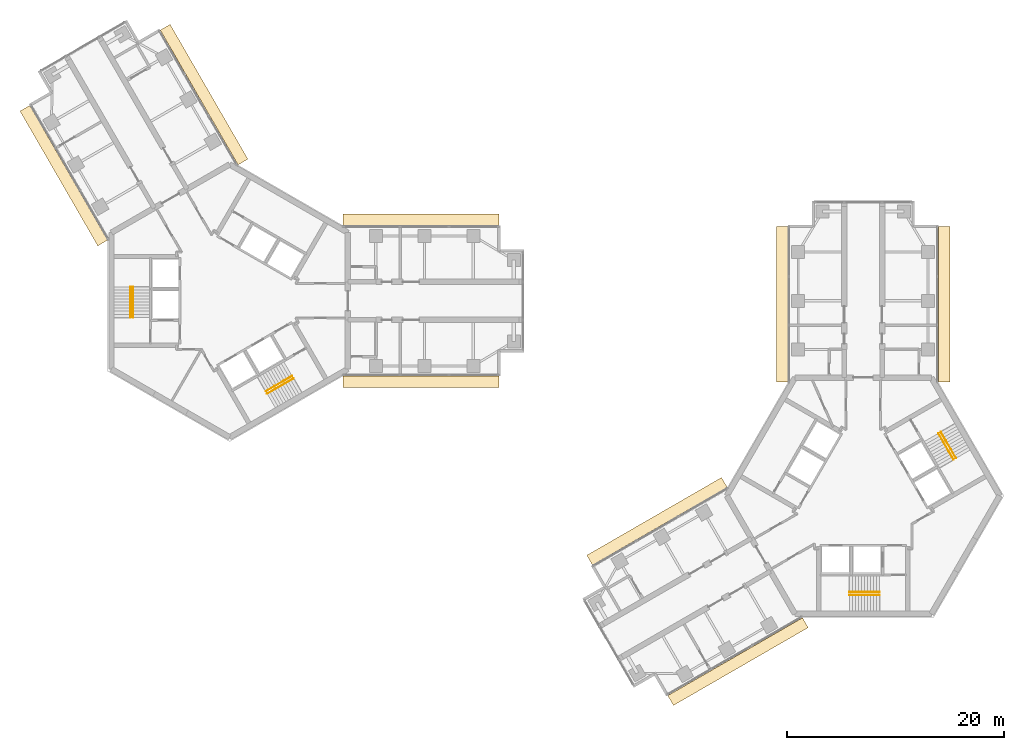
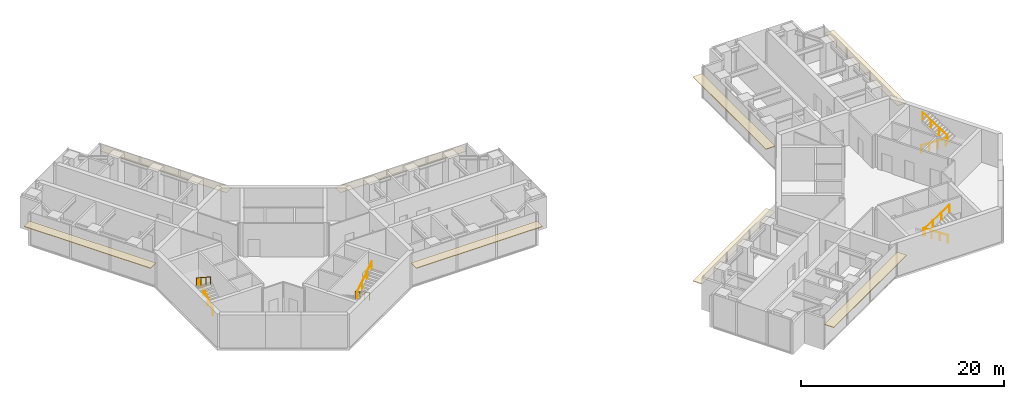
# One storey, part 17 of 17: 8 coverings, 8 railings.
"""IFC4 building model written with IfcOpenShell, lengths in metres."""

from ifc_helpers import new_model, si_unit, direction, frame, origin, origin_2d, place, context, subcontext, project, spatial, rectangle, circle, extrude, material, layer, layer_set, type_object, element, save


model = new_model("IFC4")

# Units and contexts
model_context = context("Model", 3, precision=1e-05, world=origin(), true_north=direction((0.0, 1.0)))
body_context = subcontext(model_context, "Body", "Model", "MODEL_VIEW")
ifc_project = project(units=[si_unit("LENGTHUNIT", "METRE"), si_unit("AREAUNIT", "SQUARE_METRE"), si_unit("VOLUMEUNIT", "CUBIC_METRE"), si_unit("PLANEANGLEUNIT", "RADIAN"), si_unit("MASSUNIT", "GRAM", prefix="KILO")], contexts=[model_context])

# Site, building, storey
site_placement = place(None, origin())
site = spatial("IfcSite", under=ifc_project, at=site_placement, CompositionType="ELEMENT")
building_placement = place(site_placement, origin())
building = spatial("IfcBuilding", under=site, at=building_placement, Name="Upepo Twin Towers", CompositionType="ELEMENT")
storey_placement = place(building_placement, frame((0.0, 0.0, 178.5)))
storey = spatial("IfcBuildingStorey", under=building, at=storey_placement, Name="L43", CompositionType="ELEMENT", Elevation=178.5)

# Coverings
ifc_material_1 = material(Name="Anodised aluminium, pale silver", Category="aluminium")
ifc_layer = layer(ifc_material_1, 0.080078125)
ifc_layer_set = layer_set([ifc_layer], Name="Brise-soleil blade 1050 pale aluminium")
covering_type = type_object("IfcCoveringType", Name="Brise-soleil blade 1050 pale aluminium", PredefinedType="USERDEFINED", material=ifc_layer_set)
for number, where, z_axis, x_axis, name in (
    (1, (17.66845703125, 7.4775390625, 2.909912109375), (0.0, 0.0, 1.0), (1.0, 0.0, 0.0), "T1 L43 wing A brise-soleil L"),
    (2, (17.66845703125, -7.4775390625, 2.909912109375), (0.0, 0.0, 1.0), (1.0, 0.0, 0.0), "T1 L43 wing A brise-soleil R"),
    (3, (-15.31005859375, 11.562744140625, 2.909912109375), (0.0, 0.0, 1.0), (-0.50000003023, 0.866025386331, 0.0), "T1 L43 wing B brise-soleil L"),
    (4, (-2.358642578125, 19.040283203125, 2.909912109375), (0.0, 0.0, 1.0), (-0.50000003023, 0.866025386331, 0.0), "T1 L43 wing B brise-soleil R"),
    (5, (51.0224609375, -0.33154296875, 2.909912109375), (0.0, 0.0, 1.0), (0.0, 1.0, 0.0), "T2 L43 wing A brise-soleil L"),
    (6, (65.9775390625, -0.33154296875, 2.909912109375), (0.0, 0.0, 1.0), (0.0, 1.0, 0.0), "T2 L43 wing A brise-soleil R"),
    (7, (46.937255859375, -33.31005859375, 2.909912109375), (0.0, 0.0, 1.0), (-0.866025386331, -0.50000003023, 0.0), "T2 L43 wing B brise-soleil L"),
    (8, (39.459716796875, -20.358642578125, 2.909912109375), (0.0, 0.0, 1.0), (-0.866025386331, -0.50000003023, 0.0), "T2 L43 wing B brise-soleil R"),
):
    element("IfcCovering", number, at=place(storey_placement, frame(where, z_axis=z_axis, x_axis=x_axis)), inside=storey, type_object=covering_type, Name=name, ObjectType="SUNSHADE", PredefinedType="USERDEFINED", context=body_context, shape_type="SweptSolid", body=[
        extrude(rectangle(XDim=14.36279296875, YDim=1.050048828125, at=origin_2d()), origin(), (0.0, 0.0, 1.0), 0.080078125),
    ])

# Railings
ifc_material_2 = material(Name="Stainless steel", Category="steel")
railing_type = type_object("IfcRailingType", Name="Stair handrail 900", PredefinedType="HANDRAIL", material=ifc_material_2)
railing_1_placement = place(storey_placement, frame((-8.89990234375, -1.52001953125, 0.181884765625)))
element("IfcRailing", 9, at=railing_1_placement, inside=storey, type_object=railing_type, Name="T1 stair S1 L43 handrail 1", PredefinedType="HANDRAIL", context=body_context, shape_type="SweptSolid", body=[
    extrude(circle(Radius=0.02392578125, at=origin_2d()), frame((0.0, 0.0, 0.8759765625), z_axis=(0.0, 0.838705829183, 0.544584733623), x_axis=(-1.0, 0.0, 0.0)), (0.0, 0.0, 1.0), 3.338623046875),
    extrude(circle(Radius=0.02099609375, at=origin_2d()), origin(), (0.0, 0.0, 1.0), 0.851806640625),
    extrude(circle(Radius=0.02099609375, at=origin_2d()), frame((0.0, 0.933349609375, 0.60595703125)), (0.0, 0.0, 1.0), 0.851806640625),
    extrude(circle(Radius=0.02099609375, at=origin_2d()), frame((0.0, 1.86669921875, 1.212158203125)), (0.0, 0.0, 1.0), 0.851806640625),
    extrude(circle(Radius=0.02099609375, at=origin_2d()), frame((0.0, 2.800048828125, 1.818115234375)), (0.0, 0.0, 1.0), 0.851806640625),
])
railing_2_placement = place(storey_placement, frame((-9.158447265625, 1.280029296875, 2.181884765625)))
element("IfcRailing", 10, at=railing_2_placement, inside=storey, type_object=railing_type, Name="T1 stair S1 L43 handrail 2", PredefinedType="HANDRAIL", context=body_context, shape_type="SweptSolid", body=[
    extrude(circle(Radius=0.02392578125, at=origin_2d()), frame((0.0, 0.0, 0.8759765625), z_axis=(0.0, -0.838705829183, 0.544584733623), x_axis=(1.0, 0.0, 0.0)), (0.0, 0.0, 1.0), 3.338623046875),
    extrude(circle(Radius=0.02099609375, at=origin_2d()), origin(), (0.0, 0.0, 1.0), 0.851806640625),
    extrude(circle(Radius=0.02099609375, at=origin_2d()), frame((0.0, -0.933349609375, 0.60595703125)), (0.0, 0.0, 1.0), 0.851806640625),
    extrude(circle(Radius=0.02099609375, at=origin_2d()), frame((0.0, -1.86669921875, 1.212158203125)), (0.0, 0.0, 1.0), 0.851806640625),
    extrude(circle(Radius=0.02099609375, at=origin_2d()), frame((0.0, -2.800048828125, 1.818115234375)), (0.0, 0.0, 1.0), 0.851806640625),
])
railing_3_placement = place(storey_placement, frame((5.766357421875, -6.947509765625, 0.181884765625)))
element("IfcRailing", 11, at=railing_3_placement, inside=storey, type_object=railing_type, Name="T1 stair S2 L43 handrail 1", PredefinedType="HANDRAIL", context=body_context, shape_type="SweptSolid", body=[
    extrude(circle(Radius=0.02392578125, at=origin_2d()), frame((0.0, 0.0, 0.8759765625), z_axis=(-0.726314030065, -0.419392968428, 0.544589265193), x_axis=(0.500049511043, -0.865996816683, 0.0)), (0.0, 0.0, 1.0), 3.338623046875),
    extrude(circle(Radius=0.02099609375, at=origin_2d()), origin(), (0.0, 0.0, 1.0), 0.851806640625),
    extrude(circle(Radius=0.02099609375, at=origin_2d()), frame((-0.808349609375, -0.466796875, 0.60595703125)), (0.0, 0.0, 1.0), 0.851806640625),
    extrude(circle(Radius=0.02099609375, at=origin_2d()), frame((-1.616455078125, -0.933349609375, 1.212158203125)), (0.0, 0.0, 1.0), 0.851806640625),
    extrude(circle(Radius=0.02099609375, at=origin_2d()), frame((-2.4248046875, -1.400146484375, 1.818115234375)), (0.0, 0.0, 1.0), 0.851806640625),
])
railing_4_placement = place(storey_placement, frame((3.470703125, -8.5712890625, 2.181884765625)))
element("IfcRailing", 12, at=railing_4_placement, inside=storey, type_object=railing_type, Name="T1 stair S2 L43 handrail 2", PredefinedType="HANDRAIL", context=body_context, shape_type="SweptSolid", body=[
    extrude(circle(Radius=0.02392578125, at=origin_2d()), frame((0.0, 0.0, 0.8759765625), z_axis=(0.726336304947, 0.419332699614, 0.544605966869), x_axis=(-0.49998411664, 0.866034573852, 0.0)), (0.0, 0.0, 1.0), 3.33837890625),
    extrude(circle(Radius=0.02099609375, at=origin_2d()), origin(), (0.0, 0.0, 1.0), 0.851806640625),
    extrude(circle(Radius=0.02099609375, at=origin_2d()), frame((0.808349609375, 0.466552734375, 0.60595703125)), (0.0, 0.0, 1.0), 0.851806640625),
    extrude(circle(Radius=0.02099609375, at=origin_2d()), frame((1.616455078125, 0.933349609375, 1.212158203125)), (0.0, 0.0, 1.0), 0.851806640625),
    extrude(circle(Radius=0.02099609375, at=origin_2d()), frame((2.4248046875, 1.39990234375, 1.818115234375)), (0.0, 0.0, 1.0), 0.851806640625),
])
railing_5_placement = place(storey_placement, frame((60.02001953125, -26.89990234375, 0.181884765625)))
element("IfcRailing", 13, at=railing_5_placement, inside=storey, type_object=railing_type, Name="T2 stair S1 L43 handrail 1", PredefinedType="HANDRAIL", context=body_context, shape_type="SweptSolid", body=[
    extrude(circle(Radius=0.02392578125, at=origin_2d()), frame((0.0, 0.0, 0.8759765625), z_axis=(-0.838705829183, 0.0, 0.544584733623), x_axis=(0.0, -1.0, 0.0)), (0.0, 0.0, 1.0), 3.338623046875),
    extrude(circle(Radius=0.02099609375, at=origin_2d()), origin(), (0.0, 0.0, 1.0), 0.851806640625),
    extrude(circle(Radius=0.02099609375, at=origin_2d()), frame((-0.933349609375, 0.0, 0.60595703125)), (0.0, 0.0, 1.0), 0.851806640625),
    extrude(circle(Radius=0.02099609375, at=origin_2d()), frame((-1.86669921875, 0.0, 1.212158203125)), (0.0, 0.0, 1.0), 0.851806640625),
    extrude(circle(Radius=0.02099609375, at=origin_2d()), frame((-2.800048828125, 0.0, 1.818115234375)), (0.0, 0.0, 1.0), 0.851806640625),
])
railing_6_placement = place(storey_placement, frame((57.219970703125, -27.158447265625, 2.181884765625)))
element("IfcRailing", 14, at=railing_6_placement, inside=storey, type_object=railing_type, Name="T2 stair S1 L43 handrail 2", PredefinedType="HANDRAIL", context=body_context, shape_type="SweptSolid", body=[
    extrude(circle(Radius=0.02392578125, at=origin_2d()), frame((0.0, 0.0, 0.8759765625), z_axis=(0.838705829183, 0.0, 0.544584733623), x_axis=(0.0, 1.0, 0.0)), (0.0, 0.0, 1.0), 3.338623046875),
    extrude(circle(Radius=0.02099609375, at=origin_2d()), origin(), (0.0, 0.0, 1.0), 0.851806640625),
    extrude(circle(Radius=0.02099609375, at=origin_2d()), frame((0.933349609375, 0.0, 0.60595703125)), (0.0, 0.0, 1.0), 0.851806640625),
    extrude(circle(Radius=0.02099609375, at=origin_2d()), frame((1.86669921875, 0.0, 1.212158203125)), (0.0, 0.0, 1.0), 0.851806640625),
    extrude(circle(Radius=0.02099609375, at=origin_2d()), frame((2.800048828125, 0.0, 1.818115234375)), (0.0, 0.0, 1.0), 0.851806640625),
])
railing_7_placement = place(storey_placement, frame((65.447509765625, -12.233642578125, 0.181884765625)))
element("IfcRailing", 15, at=railing_7_placement, inside=storey, type_object=railing_type, Name="T2 stair S2 L43 handrail 1", PredefinedType="HANDRAIL", context=body_context, shape_type="SweptSolid", body=[
    extrude(circle(Radius=0.02392578125, at=origin_2d()), frame((0.0, 0.0, 0.8759765625), z_axis=(0.419392968428, -0.726314030065, 0.544589265193), x_axis=(0.865996816683, 0.500049511043, 0.0)), (0.0, 0.0, 1.0), 3.338623046875),
    extrude(circle(Radius=0.02099609375, at=origin_2d()), origin(), (0.0, 0.0, 1.0), 0.851806640625),
    extrude(circle(Radius=0.02099609375, at=origin_2d()), frame((0.466796875, -0.808349609375, 0.60595703125)), (0.0, 0.0, 1.0), 0.851806640625),
    extrude(circle(Radius=0.02099609375, at=origin_2d()), frame((0.933349609375, -1.616455078125, 1.212158203125)), (0.0, 0.0, 1.0), 0.851806640625),
    extrude(circle(Radius=0.02099609375, at=origin_2d()), frame((1.400146484375, -2.4248046875, 1.818115234375)), (0.0, 0.0, 1.0), 0.851806640625),
])
railing_8_placement = place(storey_placement, frame((67.0712890625, -14.529296875, 2.181884765625)))
element("IfcRailing", 16, at=railing_8_placement, inside=storey, type_object=railing_type, Name="T2 stair S2 L43 handrail 2", PredefinedType="HANDRAIL", context=body_context, shape_type="SweptSolid", body=[
    extrude(circle(Radius=0.02392578125, at=origin_2d()), frame((0.0, 0.0, 0.8759765625), z_axis=(-0.419332699614, 0.726336304947, 0.544605966869), x_axis=(-0.866034573852, -0.49998411664, 0.0)), (0.0, 0.0, 1.0), 3.33837890625),
    extrude(circle(Radius=0.02099609375, at=origin_2d()), origin(), (0.0, 0.0, 1.0), 0.851806640625),
    extrude(circle(Radius=0.02099609375, at=origin_2d()), frame((-0.466552734375, 0.808349609375, 0.60595703125)), (0.0, 0.0, 1.0), 0.851806640625),
    extrude(circle(Radius=0.02099609375, at=origin_2d()), frame((-0.933349609375, 1.616455078125, 1.212158203125)), (0.0, 0.0, 1.0), 0.851806640625),
    extrude(circle(Radius=0.02099609375, at=origin_2d()), frame((-1.39990234375, 2.4248046875, 1.818115234375)), (0.0, 0.0, 1.0), 0.851806640625),
])

save(model, "model.ifc")
